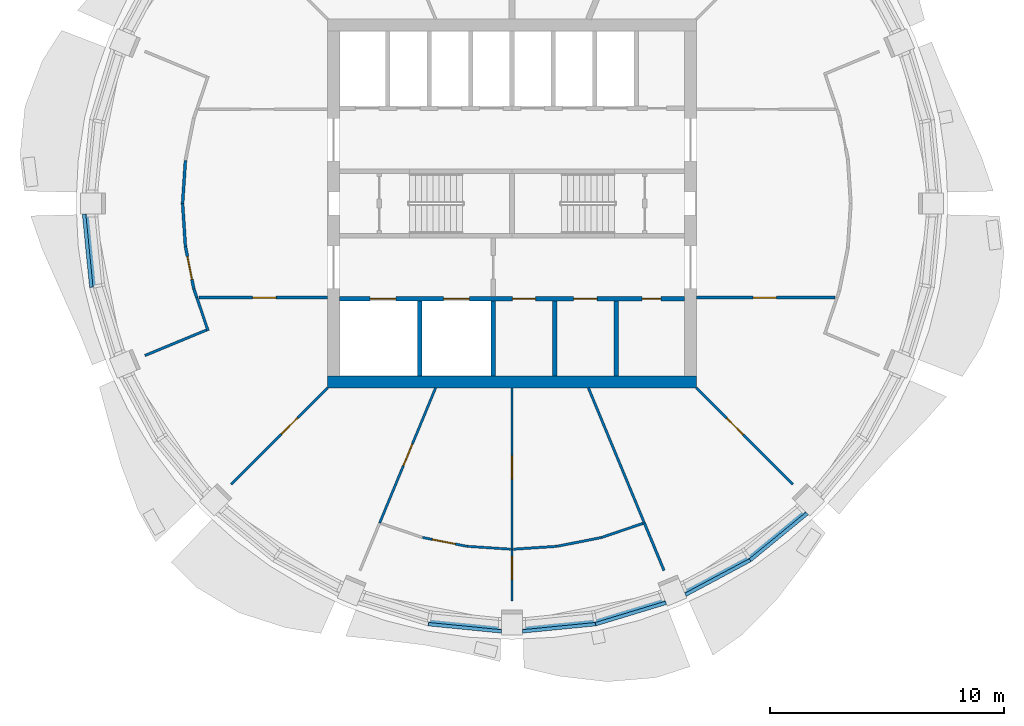
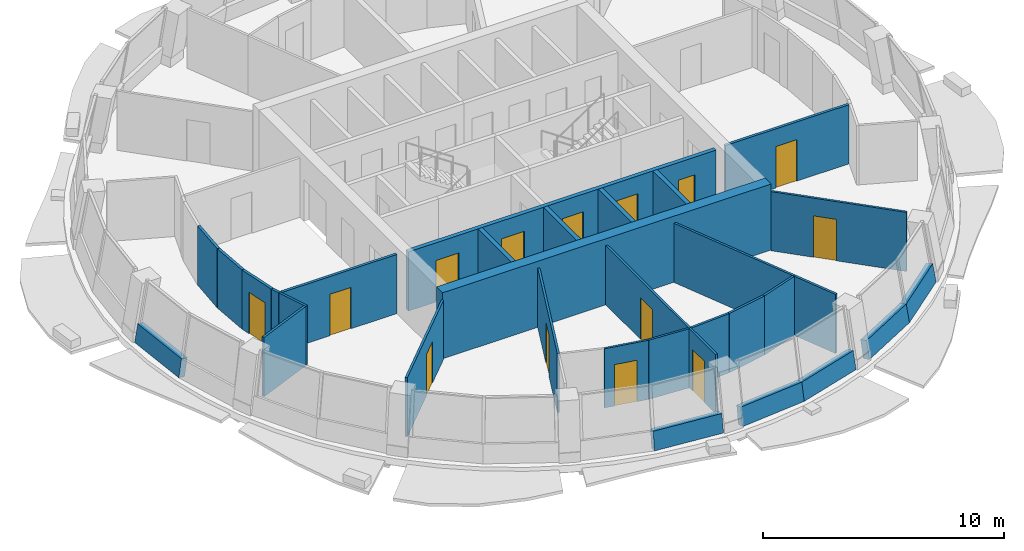
# One storey, part 4 of 11: 32 walls, 14 doors, 14 openings.
"""IFC4 building model written with IfcOpenShell, lengths in metres."""

from ifc_helpers import new_model, si_unit, direction, frame, frame_2d, origin, place, context, subcontext, project, spatial, polyline, rectangle, outline, extrude, material, layer, layer_set, type_object, element, fill, save


model = new_model("IFC4")

# Units and contexts
model_context = context("Model", 3, precision=1e-05, world=origin(), true_north=direction((0.0, 1.0)))
body_context = subcontext(model_context, "Body", "Model", "MODEL_VIEW")
ifc_project = project(units=[si_unit("LENGTHUNIT", "METRE"), si_unit("AREAUNIT", "SQUARE_METRE"), si_unit("VOLUMEUNIT", "CUBIC_METRE"), si_unit("PLANEANGLEUNIT", "RADIAN"), si_unit("MASSUNIT", "GRAM", prefix="KILO")], contexts=[model_context])

# Site, building, storey
site_placement = place(None, origin())
site = spatial("IfcSite", under=ifc_project, at=site_placement, CompositionType="ELEMENT")
building_placement = place(site_placement, origin())
building = spatial("IfcBuilding", under=site, at=building_placement, Name="Polderwave Tower", CompositionType="ELEMENT")
storey_placement = place(building_placement, frame((0.0, 0.0, 184.300048828125)))
storey = spatial("IfcBuildingStorey", under=building, at=storey_placement, Name="L49", CompositionType="ELEMENT", Elevation=184.300048828125)

# Walls
ifc_material_1 = material(Name="Concrete C60/75", Category="concrete")
ifc_layer_1 = layer(ifc_material_1, 0.5)
ifc_layer_set_1 = layer_set([ifc_layer_1], Name="CORE WALL 500 C60/75")
wall_type_1 = type_object("IfcWallType", Name="CORE WALL 500 C60/75", PredefinedType="SHEAR", material=ifc_layer_set_1)
wall_1_placement = place(storey_placement, frame((-7.8740234375, -7.6240234375, 0.0), z_axis=(0.0, 0.0, 1.0), x_axis=(1.0, 0.0, 0.0)))
element("IfcWall", 1, at=wall_1_placement, inside=storey, type_object=wall_type_1, Name="ST-CORE-L49-S", PredefinedType="SHEAR", context=body_context, shape_type="SweptSolid", body=[
    extrude(rectangle(XDim=15.748046875, YDim=0.5, at=frame_2d((7.8740234375, 0.0))), origin(), (0.0, 0.0, 1.0), 3.349853515625),
])
ifc_material_2 = material(Name="Concrete C50/60 (board-marked)", Category="concrete")
ifc_layer_2 = layer(ifc_material_2, 0.300048828125)
ifc_layer_set_2 = layer_set([ifc_layer_2], Name="Concrete spandrel upstand C50/60")
wall_type_2 = type_object("IfcWallType", Name="Concrete spandrel upstand C50/60", PredefinedType="SOLIDWALL", material=ifc_layer_set_2)
wall_2_placement = place(storey_placement, frame((-18.35302734375, -0.452392578125, 0.0), z_axis=(-0.981893053275, -0.096960979381, 0.162740899619), x_axis=(0.098271198901, -0.995159671342, 9.28862e-07)))
element("IfcWall", 2, at=wall_2_placement, inside=storey, type_object=wall_type_2, Name="Spandrel L49 9a", PredefinedType="SOLIDWALL", context=body_context, shape_type="SweptSolid", body=[
    extrude(outline(polyline([(0.0, 0.0), (3.152467755896297, 1.3877787807814457e-17), (3.1376847264442196, 0.9120582234912598), (0.014659942947303004, 0.9120641313131268), (0.0, 0.0)])), origin(), (0.0, 0.0, -1.0), 0.300048828125),
])
wall_3_placement = place(storey_placement, frame((-3.589599609375, -18.043212890625, 0.0), z_axis=(-0.097001095349, -0.981910573414, 0.162611233681), x_axis=(0.995155966643, -0.098308707783, 5.283619e-06)))
element("IfcWall", 3, at=wall_3_placement, inside=storey, type_object=wall_type_2, Name="Spandrel L49 12b", PredefinedType="SOLIDWALL", context=body_context, shape_type="SweptSolid", body=[
    extrude(outline(polyline([(0.0, 0.0), (3.152467754283533, 0.0), (3.1378318079144165, 0.9120246132585604), (0.014783026234113573, 0.9120582179690098), (0.0, 0.0)])), origin(), (0.0, 0.0, -1.0), 0.300048828125),
])
wall_4_placement = place(storey_placement, frame((0.452392578125, -18.35302734375, 0.0), z_axis=(0.096960979381, -0.981893053275, 0.162740899619), x_axis=(0.995159671342, 0.098271198901, 9.28862e-07)))
element("IfcWall", 4, at=wall_4_placement, inside=storey, type_object=wall_type_2, Name="Spandrel L49 13a", PredefinedType="SOLIDWALL", context=body_context, shape_type="SweptSolid", body=[
    extrude(outline(polyline([(0.0, 0.0), (3.152467755896297, 1.3877787807814457e-17), (3.1376847264442196, 0.9120582234912598), (0.014659942947303004, 0.9120641313131268), (0.0, 0.0)])), origin(), (0.0, 0.0, -1.0), 0.300048828125),
])
wall_5_placement = place(storey_placement, frame((3.589599609375, -18.043212890625, 0.0), z_axis=(0.286418531815, -0.944194299341, 0.162670064008), x_axis=(0.956940039415, 0.290285654048, 4.29464e-06)))
element("IfcWall", 5, at=wall_5_placement, inside=storey, type_object=wall_type_2, Name="Spandrel L49 13b", PredefinedType="SOLIDWALL", context=body_context, shape_type="SweptSolid", body=[
    extrude(outline(polyline([(0.0, 0.0), (3.151090520637664, 5.551115123125783e-17), (3.1366300493832275, 0.9120367272109542), (0.014419954122899748, 0.9120640324691018), (0.0, 0.0)])), origin(), (0.0, 0.0, -1.0), 0.300048828125),
])
wall_6_placement = place(storey_placement, frame((7.44140625, -16.782470703125, 0.0), z_axis=(0.465338838382, -0.870053087177, 0.162688017342), x_axis=(0.881801348468, 0.471621015005, -6.731272e-06)))
element("IfcWall", 6, at=wall_6_placement, inside=storey, type_object=wall_type_2, Name="Spandrel L49 14a", PredefinedType="SOLIDWALL", context=body_context, shape_type="SweptSolid", body=[
    extrude(outline(polyline([(0.0, 0.0), (3.151771311111445, 2.7755575615628914e-17), (3.1370609121058677, 0.9120745174751712), (0.014772882519417198, 0.9120317148366439), (0.0, 0.0)])), origin(), (0.0, 0.0, -1.0), 0.300048828125),
])
wall_7_placement = place(storey_placement, frame((10.220703125, -15.296142578125, 0.0), z_axis=(0.625791219471, -0.762829436571, 0.162716318582), x_axis=(0.773132385109, 0.634244680745, 6.479811e-06)))
element("IfcWall", 7, at=wall_7_placement, inside=storey, type_object=wall_type_2, Name="Spandrel L49 14b", PredefinedType="SOLIDWALL", context=body_context, shape_type="SweptSolid", body=[
    extrude(outline(polyline([(0.0, 0.0), (3.1512815606114035, 0.0), (3.1368278322630134, 0.9120368292562752), (0.014491008658826651, 0.9120780302099851), (0.0, 0.0)])), origin(), (0.0, 0.0, -1.0), 0.300048828125),
])
ifc_material_3 = material(Name="Gypsum board partition")
ifc_layer_3 = layer(ifc_material_3, 0.199951171875)
ifc_layer_set_3 = layer_set([ifc_layer_3], Name="Core room partition 200")
wall_type_3 = type_object("IfcWallType", Name="Core room partition 200", PredefinedType="PARTITIONING", material=ifc_layer_set_3)
for number, where, z_axis, x_axis, name in (
    (8, (1.823486328125, -7.3740234375, 0.0), (0.0, 0.0, 1.0), (0.0, 1.0, 0.0), "L49 room partition S1"),
    (9, (4.44677734375, -7.3740234375, 0.0), (0.0, 0.0, 1.0), (0.0, 1.0, 0.0), "L49 room partition S2"),
):
    element("IfcWall", number, at=place(storey_placement, frame(where, z_axis=z_axis, x_axis=x_axis)), inside=storey, type_object=wall_type_3, Name=name, PredefinedType="PARTITIONING", context=body_context, shape_type="SweptSolid", body=[
        extrude(rectangle(XDim=3.199951171875, YDim=0.199951171875, at=frame_2d((1.60009765625, 0.0))), origin(), (0.0, 0.0, 1.0), 3.0),
    ])

# Wall, openings, doors
ifc_material_4 = material(Name="Concrete C50/60", Category="concrete")
ifc_layer_4 = layer(ifc_material_4, 0.199951171875)
ifc_layer_set_4 = layer_set([ifc_layer_4], Name="Core web wall 200")
wall_type_4 = type_object("IfcWallType", Name="Core web wall 200", PredefinedType="SHEAR", material=ifc_layer_set_4)
wall_8_placement = place(storey_placement, frame((-7.3740234375, -4.073974609375, 0.0), z_axis=(0.0, 0.0, 1.0), x_axis=(1.0, 0.0, 0.0)))
wall_8 = element("IfcWall", 10, at=wall_8_placement, inside=storey, type_object=wall_type_4, Name="L49 south front wall", PredefinedType="SHEAR", context=body_context, shape_type="SweptSolid", body=[
    extrude(rectangle(XDim=14.748046875, YDim=0.199951171875, at=frame_2d((7.3740234375, 0.0))), origin(), (0.0, 0.0, 1.0), 3.0),
])
opening_1_placement = place(wall_8_placement, frame((1.318603515625, 0.0, 0.0)))
opening_1 = element("IfcOpeningElement", 11, at=opening_1_placement, cuts=wall_8, Name="Opening L49-D01", PredefinedType="OPENING", context=body_context, shape_type="SweptSolid", body=[
    extrude(rectangle(XDim=1.10009765625, YDim=2.10009765625, at=frame_2d((0.550048828125, 1.050048828125))), frame((0.0, 0.10986328125, 0.0), z_axis=(0.0, -1.0, 0.0), x_axis=(1.0, 0.0, 0.0)), (0.0, 0.0, 1.0), 0.219970703125),
])
opening_2_placement = place(wall_8_placement, frame((4.45556640625, 0.0, 0.0)))
opening_2 = element("IfcOpeningElement", 12, at=opening_2_placement, cuts=wall_8, Name="Opening L49-D02", PredefinedType="OPENING", context=body_context, shape_type="SweptSolid", body=[
    extrude(rectangle(XDim=1.10009765625, YDim=2.10009765625, at=frame_2d((0.550048828125, 1.050048828125))), frame((0.0, 0.10986328125, 0.0), z_axis=(0.0, -1.0, 0.0), x_axis=(1.0, 0.0, 0.0)), (0.0, 0.0, 1.0), 0.219970703125),
])
opening_3_placement = place(wall_8_placement, frame((7.3857421875, 0.0, 0.0)))
opening_3 = element("IfcOpeningElement", 13, at=opening_3_placement, cuts=wall_8, Name="Opening L49-D15", PredefinedType="OPENING", context=body_context, shape_type="SweptSolid", body=[
    extrude(rectangle(XDim=1.0, YDim=2.10009765625, at=frame_2d((0.5, 1.050048828125))), frame((0.0, 0.10986328125, 0.0), z_axis=(0.0, -1.0, 0.0), x_axis=(1.0, 0.0, 0.0)), (0.0, 0.0, 1.0), 0.219970703125),
])
opening_4_placement = place(wall_8_placement, frame((10.009033203125, 0.0, 0.0)))
opening_4 = element("IfcOpeningElement", 14, at=opening_4_placement, cuts=wall_8, Name="Opening L49-D16", PredefinedType="OPENING", context=body_context, shape_type="SweptSolid", body=[
    extrude(rectangle(XDim=1.0, YDim=2.10009765625, at=frame_2d((0.5, 1.050048828125))), frame((0.0, 0.10986328125, 0.0), z_axis=(0.0, -1.0, 0.0), x_axis=(1.0, 0.0, 0.0)), (0.0, 0.0, 1.0), 0.219970703125),
])
opening_5_placement = place(wall_8_placement, frame((12.934326171875, 0.0, 0.0)))
opening_5 = element("IfcOpeningElement", 15, at=opening_5_placement, cuts=wall_8, Name="Opening L49-D17", PredefinedType="OPENING", context=body_context, shape_type="SweptSolid", body=[
    extrude(rectangle(XDim=0.800048828125, YDim=2.10009765625, at=frame_2d((0.39990234375, 1.050048828125))), frame((0.0, 0.10986328125, 0.0), z_axis=(0.0, -1.0, 0.0), x_axis=(1.0, 0.0, 0.0)), (0.0, 0.0, 1.0), 0.219970703125),
])
ifc_material_5 = material(Name="Stainless steel", Category="steel")
door_type_1 = type_object("IfcDoorType", Name="Fire-fighting lift landing door 1100", OperationType="DOUBLE_DOOR_SLIDING", PredefinedType="DOOR", material=ifc_material_5)
door_1_placement = place(opening_1_placement, origin())
door_1 = element("IfcDoor", 16, at=door_1_placement, inside=storey, type_object=door_type_1, Name="Fire-fighting lift FF1 landing door", OperationType="DOUBLE_DOOR_SLIDING", OverallHeight=2.10009765625, OverallWidth=1.10009765625, PredefinedType="DOOR", context=body_context, shape_type="SweptSolid", body=[
    extrude(rectangle(XDim=1.10009765625, YDim=2.10009765625, at=frame_2d((0.550048828125, 1.050048828125))), frame((0.0, 0.02490234375, 0.0), z_axis=(0.0, -1.0, 0.0), x_axis=(1.0, 0.0, 0.0)), (0.0, 0.0, 1.0), 0.050048828125),
])
fill(opening_1, door_1)
door_2_placement = place(opening_2_placement, origin())
door_2 = element("IfcDoor", 17, at=door_2_placement, inside=storey, type_object=door_type_1, Name="Fire-fighting lift FF2 landing door", OperationType="DOUBLE_DOOR_SLIDING", OverallHeight=2.10009765625, OverallWidth=1.10009765625, PredefinedType="DOOR", context=body_context, shape_type="SweptSolid", body=[
    extrude(rectangle(XDim=1.10009765625, YDim=2.10009765625, at=frame_2d((0.550048828125, 1.050048828125))), frame((0.0, 0.02490234375, 0.0), z_axis=(0.0, -1.0, 0.0), x_axis=(1.0, 0.0, 0.0)), (0.0, 0.0, 1.0), 0.050048828125),
])
fill(opening_2, door_2)
ifc_material_6 = material(Name="Steel fire door", Category="steel")
door_type_2 = type_object("IfcDoorType", Name="Riser door 800", OperationType="NOTDEFINED", PredefinedType="DOOR", material=ifc_material_6)
door_3_placement = place(opening_5_placement, origin())
door_3 = element("IfcDoor", 18, at=door_3_placement, inside=storey, type_object=door_type_2, Name="Electrical room door", OperationType="SINGLE_SWING_RIGHT", OverallHeight=2.10009765625, OverallWidth=0.800048828125, PredefinedType="DOOR", context=body_context, shape_type="SweptSolid", body=[
    extrude(rectangle(XDim=0.800048828125, YDim=2.10009765625, at=frame_2d((0.39990234375, 1.050048828125))), frame((0.0, 0.02490234375, 0.0), z_axis=(0.0, -1.0, 0.0), x_axis=(1.0, 0.0, 0.0)), (0.0, 0.0, 1.0), 0.050048828125),
])
fill(opening_5, door_3)
ifc_material_7 = material(Name="Timber door leaf", Category="wood")
door_type_3 = type_object("IfcDoorType", Name="Room door 1000", OperationType="NOTDEFINED", PredefinedType="DOOR", material=ifc_material_7)
door_4_placement = place(opening_3_placement, frame((1.0, 0.0, 0.0), z_axis=(0.0, 0.0, 1.0), x_axis=(-1.0, 0.0, 0.0)))
door_4 = element("IfcDoor", 19, at=door_4_placement, inside=storey, type_object=door_type_3, Name="Housekeeping store door", OperationType="SINGLE_SWING_LEFT", OverallHeight=2.10009765625, OverallWidth=1.0, PredefinedType="DOOR", context=body_context, shape_type="SweptSolid", body=[
    extrude(rectangle(XDim=1.0, YDim=2.10009765625, at=frame_2d((0.5, 1.050048828125))), frame((0.0, 0.02490234375, 0.0), z_axis=(0.0, -1.0, 0.0), x_axis=(1.0, 0.0, 0.0)), (0.0, 0.0, 1.0), 0.050048828125),
])
fill(opening_3, door_4)
door_5_placement = place(opening_4_placement, frame((1.0, 0.0, 0.0), z_axis=(0.0, 0.0, 1.0), x_axis=(-1.0, 0.0, 0.0)))
door_5 = element("IfcDoor", 20, at=door_5_placement, inside=storey, type_object=door_type_3, Name="Pantry door", OperationType="SINGLE_SWING_LEFT", OverallHeight=2.10009765625, OverallWidth=1.0, PredefinedType="DOOR", context=body_context, shape_type="SweptSolid", body=[
    extrude(rectangle(XDim=1.0, YDim=2.10009765625, at=frame_2d((0.5, 1.050048828125))), frame((0.0, 0.02490234375, 0.0), z_axis=(0.0, -1.0, 0.0), x_axis=(1.0, 0.0, 0.0)), (0.0, 0.0, 1.0), 0.050048828125),
])
fill(opening_4, door_5)

# Wall, opening, door
ifc_material_8 = material(Name="Fire-resisting board on steel studs", Category="steel")
ifc_layer_5 = layer(ifc_material_8, 0.125)
ifc_layer_set_5 = layer_set([ifc_layer_5], Name="Corridor wall 125 mm EI 60")
wall_type_5 = type_object("IfcWallType", Name="Corridor wall 125 mm EI 60", PredefinedType="PARTITIONING", material=ifc_layer_set_5)
wall_9_placement = place(storey_placement, frame((13.794921875, -4.0244140625, 0.0), z_axis=(0.0, 0.0, 1.0), x_axis=(-1.0, 0.0, 0.0)))
wall_9 = element("IfcWall", 21, at=wall_9_placement, inside=storey, type_object=wall_type_5, Name="IN-L49-W008", PredefinedType="PARTITIONING", context=body_context, shape_type="SweptSolid", body=[
    extrude(rectangle(XDim=5.9208984375, YDim=0.125, at=frame_2d((2.96044921875, 0.0))), origin(), (0.0, 0.0, 1.0), 3.0),
])
opening_6_placement = place(wall_9_placement, frame((2.5, 0.0, 0.0)))
opening_6 = element("IfcOpeningElement", 22, at=opening_6_placement, cuts=wall_9, Name="Opening L49-D52", PredefinedType="OPENING", context=body_context, shape_type="SweptSolid", body=[
    extrude(rectangle(XDim=1.0, YDim=2.10009765625, at=frame_2d((0.5, 1.050048828125))), frame((0.0, 0.072509765625, 0.0), z_axis=(0.0, -1.0, 0.0), x_axis=(1.0, 0.0, 0.0)), (0.0, 0.0, 1.0), 0.14501953125),
])
ifc_material_9 = material(Name="Timber fire door leaf", Category="wood")
door_type_4 = type_object("IfcDoorType", Name="Fire door FD30S 1000 x 2100", OperationType="NOTDEFINED", PredefinedType="DOOR", material=ifc_material_9)
door_6_placement = place(opening_6_placement, origin())
door_6 = element("IfcDoor", 23, at=door_6_placement, inside=storey, type_object=door_type_4, Name="Door L49-D52", OperationType="SINGLE_SWING_RIGHT", OverallHeight=2.10009765625, OverallWidth=1.0, PredefinedType="DOOR", context=body_context, shape_type="SweptSolid", body=[
    extrude(rectangle(XDim=1.0, YDim=2.10009765625, at=frame_2d((0.5, 1.050048828125))), frame((0.0, 0.02490234375, 0.0), z_axis=(0.0, -1.0, 0.0), x_axis=(1.0, 0.0, 0.0)), (0.0, 0.0, 1.0), 0.050048828125),
])
fill(opening_6, door_6)

# Walls
for number, where, z_axis, x_axis, name in (
    (24, (-14.069580078125, 0.004150390625, 0.0), (0.0, 0.0, 1.0), (0.065289693198, 0.997866351754, 0.0), "IN-L49-W010"),
    (25, (-13.949951171875, -1.83251953125, 0.0), (0.0, 0.0, 1.0), (-0.065289693198, 0.997866351754, 0.0), "IN-L49-W011"),
):
    element("IfcWall", number, at=place(storey_placement, frame(where, z_axis=z_axis, x_axis=x_axis)), inside=storey, type_object=wall_type_5, Name=name, PredefinedType="PARTITIONING", context=body_context, shape_type="SweptSolid", body=[
        extrude(rectangle(XDim=1.832275390625, YDim=0.125, at=frame_2d((0.916015625, 0.0))), origin(), (0.0, 0.0, 1.0), 3.0),
    ])

# Wall, opening, door
wall_10_placement = place(storey_placement, frame((-13.59130859375, -3.6376953125, 0.0), z_axis=(0.0, 0.0, 1.0), x_axis=(-0.195065465094, 0.980790224425, 0.0)))
wall_10 = element("IfcWall", 26, at=wall_10_placement, inside=storey, type_object=wall_type_5, Name="IN-L49-W013", PredefinedType="PARTITIONING", context=body_context, shape_type="SweptSolid", body=[
    extrude(rectangle(XDim=1.832275390625, YDim=0.125, at=frame_2d((0.916015625, 0.0))), origin(), (0.0, 0.0, 1.0), 3.0),
])
opening_7_placement = place(wall_10_placement, frame((0.39990234375, 0.0, 0.0)))
opening_7 = element("IfcOpeningElement", 27, at=opening_7_placement, cuts=wall_10, Name="Opening L49-D54", PredefinedType="OPENING", context=body_context, shape_type="SweptSolid", body=[
    extrude(rectangle(XDim=1.0, YDim=2.10009765625, at=frame_2d((0.5, 1.050048828125))), frame((0.0, 0.072509765625, 0.0), z_axis=(0.0, -1.0, 0.0), x_axis=(1.0, 0.0, 0.0)), (0.0, 0.0, 1.0), 0.14501953125),
])
door_7_placement = place(opening_7_placement, origin())
door_7 = element("IfcDoor", 28, at=door_7_placement, inside=storey, type_object=door_type_4, Name="Door L49-D54", OperationType="SINGLE_SWING_LEFT", OverallHeight=2.10009765625, OverallWidth=1.0, PredefinedType="DOOR", context=body_context, shape_type="SweptSolid", body=[
    extrude(rectangle(XDim=1.0, YDim=2.10009765625, at=frame_2d((0.5, 1.050048828125))), frame((0.0, 0.02490234375, 0.0), z_axis=(0.0, -1.0, 0.0), x_axis=(1.0, 0.0, 0.0)), (0.0, 0.0, 1.0), 0.050048828125),
])
fill(opening_7, door_7)

# Wall
wall_11_placement = place(storey_placement, frame((-13.460693359375, -4.0244140625, 0.0), z_axis=(0.0, 0.0, 1.0), x_axis=(-0.321530820204, 0.94689911377, 0.0)))
element("IfcWall", 29, at=wall_11_placement, inside=storey, type_object=wall_type_5, Name="IN-L49-W015", PredefinedType="PARTITIONING", context=body_context, shape_type="SweptSolid", body=[
    extrude(rectangle(XDim=0.400146484375, YDim=0.125, at=frame_2d((0.2001953125, 0.0))), origin(), (0.0, 0.0, 1.0), 3.0),
])

# Wall, opening, door
wall_12_placement = place(storey_placement, frame((-7.8740234375, -4.0244140625, 0.0), z_axis=(0.0, 0.0, 1.0), x_axis=(-1.0, 0.0, 0.0)))
wall_12 = element("IfcWall", 30, at=wall_12_placement, inside=storey, type_object=wall_type_5, Name="IN-L49-W016", PredefinedType="PARTITIONING", context=body_context, shape_type="SweptSolid", body=[
    extrude(rectangle(XDim=5.499267578125, YDim=0.125, at=frame_2d((2.74951171875, 0.0))), origin(), (0.0, 0.0, 1.0), 3.0),
])
opening_8_placement = place(wall_12_placement, frame((2.199951171875, 0.0, 0.0)))
opening_8 = element("IfcOpeningElement", 31, at=opening_8_placement, cuts=wall_12, Name="Opening L49-D55", PredefinedType="OPENING", context=body_context, shape_type="SweptSolid", body=[
    extrude(rectangle(XDim=1.0, YDim=2.10009765625, at=frame_2d((0.5, 1.050048828125))), frame((0.0, 0.072509765625, 0.0), z_axis=(0.0, -1.0, 0.0), x_axis=(1.0, 0.0, 0.0)), (0.0, 0.0, 1.0), 0.14501953125),
])
door_8_placement = place(opening_8_placement, origin())
door_8 = element("IfcDoor", 32, at=door_8_placement, inside=storey, type_object=door_type_4, Name="Door L49-D55", OperationType="SINGLE_SWING_LEFT", OverallHeight=2.10009765625, OverallWidth=1.0, PredefinedType="DOOR", context=body_context, shape_type="SweptSolid", body=[
    extrude(rectangle(XDim=1.0, YDim=2.10009765625, at=frame_2d((0.5, 1.050048828125))), frame((0.0, 0.02490234375, 0.0), z_axis=(0.0, -1.0, 0.0), x_axis=(1.0, 0.0, 0.0)), (0.0, 0.0, 1.0), 0.050048828125),
])
fill(opening_8, door_8)

ifc_material_10 = material(Name="Plasterboard on steel studs", Category="steel")
ifc_layer_6 = layer(ifc_material_10, 0.10009765625)
ifc_layer_set_6 = layer_set([ifc_layer_6], Name="Partition 100 mm plasterboard on steel studs")
wall_type_6 = type_object("IfcWallType", Name="Partition 100 mm plasterboard on steel studs", PredefinedType="PARTITIONING", material=ifc_layer_set_6)
wall_13_placement = place(storey_placement, frame((-7.8740234375, -7.8740234375, 0.0), z_axis=(0.0, 0.0, 1.0), x_axis=(-0.707106781187, -0.707106781187, 0.0)))
wall_13 = element("IfcWall", 33, at=wall_13_placement, inside=storey, type_object=wall_type_6, Name="IN-L49-W039", PredefinedType="PARTITIONING", context=body_context, shape_type="SweptSolid", body=[
    extrude(rectangle(XDim=5.834228515625, YDim=0.10009765625, at=frame_2d((2.9169921875, 0.0))), origin(), (0.0, 0.0, 1.0), 3.0),
])
opening_9_placement = place(wall_13_placement, frame((1.800048828125, 0.0, 0.0)))
opening_9 = element("IfcOpeningElement", 34, at=opening_9_placement, cuts=wall_13, Name="Opening L49-D62", PredefinedType="OPENING", context=body_context, shape_type="SweptSolid", body=[
    extrude(rectangle(XDim=1.0, YDim=2.10009765625, at=frame_2d((0.5, 1.050048828125))), frame((0.0, 0.06005859375, 0.0), z_axis=(0.0, -1.0, 0.0), x_axis=(1.0, 0.0, 0.0)), (0.0, 0.0, 1.0), 0.1201171875),
])
ifc_material_11 = material(Name="Timber veneer door leaf", Category="wood")
door_type_5 = type_object("IfcDoorType", Name="Single door 1000 x 2100", OperationType="NOTDEFINED", PredefinedType="DOOR", material=ifc_material_11)
door_9_placement = place(opening_9_placement, origin())
door_9 = element("IfcDoor", 35, at=door_9_placement, inside=storey, type_object=door_type_5, Name="Door L49-D62", OperationType="SINGLE_SWING_LEFT", OverallHeight=2.10009765625, OverallWidth=1.0, PredefinedType="DOOR", context=body_context, shape_type="SweptSolid", body=[
    extrude(rectangle(XDim=1.0, YDim=2.10009765625, at=frame_2d((0.5, 1.050048828125))), frame((0.0, 0.02490234375, 0.0), z_axis=(0.0, -1.0, 0.0), x_axis=(1.0, 0.0, 0.0)), (0.0, 0.0, 1.0), 0.050048828125),
])
fill(opening_9, door_9)

wall_14_placement = place(storey_placement, frame((-3.261474609375, -7.8740234375, 0.0), z_axis=(0.0, 0.0, 1.0), x_axis=(-0.382669328176, -0.923885374532, 0.0)))
wall_14 = element("IfcWall", 36, at=wall_14_placement, inside=storey, type_object=wall_type_6, Name="IN-L49-W040", PredefinedType="PARTITIONING", context=body_context, shape_type="SweptSolid", body=[
    extrude(rectangle(XDim=6.247314453125, YDim=0.10009765625, at=frame_2d((3.12353515625, 0.0))), origin(), (0.0, 0.0, 1.0), 3.0),
])
opening_10_placement = place(wall_14_placement, frame((2.60009765625, 0.0, 0.0)))
opening_10 = element("IfcOpeningElement", 37, at=opening_10_placement, cuts=wall_14, Name="Opening L49-D63", PredefinedType="OPENING", context=body_context, shape_type="SweptSolid", body=[
    extrude(rectangle(XDim=1.0, YDim=2.10009765625, at=frame_2d((0.5, 1.050048828125))), frame((0.0, 0.06005859375, 0.0), z_axis=(0.0, -1.0, 0.0), x_axis=(1.0, 0.0, 0.0)), (0.0, 0.0, 1.0), 0.1201171875),
])
door_10_placement = place(opening_10_placement, origin())
door_10 = element("IfcDoor", 38, at=door_10_placement, inside=storey, type_object=door_type_5, Name="Door L49-D63", OperationType="SINGLE_SWING_LEFT", OverallHeight=2.10009765625, OverallWidth=1.0, PredefinedType="DOOR", context=body_context, shape_type="SweptSolid", body=[
    extrude(rectangle(XDim=1.0, YDim=2.10009765625, at=frame_2d((0.5, 1.050048828125))), frame((0.0, 0.02490234375, 0.0), z_axis=(0.0, -1.0, 0.0), x_axis=(1.0, 0.0, 0.0)), (0.0, 0.0, 1.0), 0.050048828125),
])
fill(opening_10, door_10)

wall_15_placement = place(storey_placement, frame((-1.93115234375, -14.64306640625, 0.0), z_axis=(0.0, 0.0, 1.0), x_axis=(-0.980775263006, 0.195140676117, 0.0)))
wall_15 = element("IfcWall", 39, at=wall_15_placement, inside=storey, type_object=wall_type_6, Name="IN-L49-W043", PredefinedType="PARTITIONING", context=body_context, shape_type="SweptSolid", body=[
    extrude(rectangle(XDim=1.925537109375, YDim=0.10009765625, at=frame_2d((0.962890625, 0.0))), origin(), (0.0, 0.0, 1.0), 3.0),
])
opening_11_placement = place(wall_15_placement, frame((0.5, 0.0, 0.0)))
opening_11 = element("IfcOpeningElement", 40, at=opening_11_placement, cuts=wall_15, Name="Opening L49-D64", PredefinedType="OPENING", context=body_context, shape_type="SweptSolid", body=[
    extrude(rectangle(XDim=1.0, YDim=2.10009765625, at=frame_2d((0.5, 1.050048828125))), frame((0.0, 0.06005859375, 0.0), z_axis=(0.0, -1.0, 0.0), x_axis=(1.0, 0.0, 0.0)), (0.0, 0.0, 1.0), 0.1201171875),
])
door_11_placement = place(opening_11_placement, origin())
door_11 = element("IfcDoor", 41, at=door_11_placement, inside=storey, type_object=door_type_5, Name="Door L49-D64", OperationType="SINGLE_SWING_RIGHT", OverallHeight=2.10009765625, OverallWidth=1.0, PredefinedType="DOOR", context=body_context, shape_type="SweptSolid", body=[
    extrude(rectangle(XDim=1.0, YDim=2.10009765625, at=frame_2d((0.5, 1.050048828125))), frame((0.0, 0.02490234375, 0.0), z_axis=(0.0, -1.0, 0.0), x_axis=(1.0, 0.0, 0.0)), (0.0, 0.0, 1.0), 0.050048828125),
])
fill(opening_11, door_11)

# Wall
wall_16_placement = place(storey_placement, frame((-0.055908203125, -14.766357421875, 0.0), z_axis=(0.0, 0.0, 1.0), x_axis=(-0.997856111695, 0.065446010984, 0.0)))
element("IfcWall", 42, at=wall_16_placement, inside=storey, type_object=wall_type_6, Name="IN-L49-W044", PredefinedType="PARTITIONING", context=body_context, shape_type="SweptSolid", body=[
    extrude(rectangle(XDim=1.87255859375, YDim=0.10009765625, at=frame_2d((0.936279296875, 0.0))), origin(), (0.0, 0.0, 1.0), 3.0),
])

# Wall, opening, door
wall_17_placement = place(storey_placement, frame((0.0, -14.77001953125, 0.0), z_axis=(0.0, 0.0, 1.0), x_axis=(0.0, -1.0, 0.0)))
wall_17 = element("IfcWall", 43, at=wall_17_placement, inside=storey, type_object=wall_type_6, Name="IN-L49-W046", PredefinedType="PARTITIONING", context=body_context, shape_type="SweptSolid", body=[
    extrude(rectangle(XDim=2.199951171875, YDim=0.10009765625, at=frame_2d((1.10009765625, 0.0))), origin(), (0.0, 0.0, 1.0), 3.0),
])
opening_12_placement = place(wall_17_placement, frame((0.300048828125, 0.0, 0.0)))
opening_12 = element("IfcOpeningElement", 44, at=opening_12_placement, cuts=wall_17, Name="Opening L49-D66", PredefinedType="OPENING", context=body_context, shape_type="SweptSolid", body=[
    extrude(rectangle(XDim=1.0, YDim=2.10009765625, at=frame_2d((0.5, 1.050048828125))), frame((0.0, 0.06005859375, 0.0), z_axis=(0.0, -1.0, 0.0), x_axis=(1.0, 0.0, 0.0)), (0.0, 0.0, 1.0), 0.1201171875),
])
door_12_placement = place(opening_12_placement, origin())
door_12 = element("IfcDoor", 45, at=door_12_placement, inside=storey, type_object=door_type_5, Name="Door L49-D66", OperationType="SINGLE_SWING_LEFT", OverallHeight=2.10009765625, OverallWidth=1.0, PredefinedType="DOOR", context=body_context, shape_type="SweptSolid", body=[
    extrude(rectangle(XDim=1.0, YDim=2.10009765625, at=frame_2d((0.5, 1.050048828125))), frame((0.0, 0.02490234375, 0.0), z_axis=(0.0, -1.0, 0.0), x_axis=(1.0, 0.0, 0.0)), (0.0, 0.0, 1.0), 0.050048828125),
])
fill(opening_12, door_12)

wall_18_placement = place(storey_placement, frame((11.99951171875, -11.99951171875, 0.0), z_axis=(0.0, 0.0, 1.0), x_axis=(-0.707106781187, 0.707106781187, 0.0)))
wall_18 = element("IfcWall", 46, at=wall_18_placement, inside=storey, type_object=wall_type_6, Name="IN-L49-W052", PredefinedType="PARTITIONING", context=body_context, shape_type="SweptSolid", body=[
    extrude(rectangle(XDim=5.834228515625, YDim=0.10009765625, at=frame_2d((2.9169921875, 0.0))), origin(), (0.0, 0.0, 1.0), 3.0),
])
opening_13_placement = place(wall_18_placement, frame((3.0, 0.0, 0.0)))
opening_13 = element("IfcOpeningElement", 47, at=opening_13_placement, cuts=wall_18, Name="Opening L49-D67", PredefinedType="OPENING", context=body_context, shape_type="SweptSolid", body=[
    extrude(rectangle(XDim=1.0, YDim=2.10009765625, at=frame_2d((0.5, 1.050048828125))), frame((0.0, 0.06005859375, 0.0), z_axis=(0.0, -1.0, 0.0), x_axis=(1.0, 0.0, 0.0)), (0.0, 0.0, 1.0), 0.1201171875),
])
door_13_placement = place(opening_13_placement, origin())
door_13 = element("IfcDoor", 48, at=door_13_placement, inside=storey, type_object=door_type_5, Name="Door L49-D67", OperationType="SINGLE_SWING_RIGHT", OverallHeight=2.10009765625, OverallWidth=1.0, PredefinedType="DOOR", context=body_context, shape_type="SweptSolid", body=[
    extrude(rectangle(XDim=1.0, YDim=2.10009765625, at=frame_2d((0.5, 1.050048828125))), frame((0.0, 0.02490234375, 0.0), z_axis=(0.0, -1.0, 0.0), x_axis=(1.0, 0.0, 0.0)), (0.0, 0.0, 1.0), 0.050048828125),
])
fill(opening_13, door_13)

ifc_material_12 = material(Name="Moisture-resistant board on steel studs, tiled", Category="steel")
ifc_layer_7 = layer(ifc_material_12, 0.10498046875)
ifc_layer_set_7 = layer_set([ifc_layer_7], Name="Partition 105 mm wet room board and tile")
wall_type_7 = type_object("IfcWallType", Name="Partition 105 mm wet room board and tile", PredefinedType="PARTITIONING", material=ifc_layer_set_7)
wall_19_placement = place(storey_placement, frame((0.0, -7.8740234375, 0.0), z_axis=(0.0, 0.0, 1.0), x_axis=(0.0, -1.0, 0.0)))
wall_19 = element("IfcWall", 49, at=wall_19_placement, inside=storey, type_object=wall_type_7, Name="IN-L49-W045", PredefinedType="PARTITIONING", context=body_context, shape_type="SweptSolid", body=[
    extrude(rectangle(XDim=6.89599609375, YDim=0.10498046875, at=frame_2d((3.447998046875, 0.0))), origin(), (0.0, 0.0, 1.0), 3.0),
])
opening_14_placement = place(wall_19_placement, frame((2.89990234375, 0.0, 0.0)))
opening_14 = element("IfcOpeningElement", 50, at=opening_14_placement, cuts=wall_19, Name="Opening L49-D65", PredefinedType="OPENING", context=body_context, shape_type="SweptSolid", body=[
    extrude(rectangle(XDim=1.0, YDim=2.10009765625, at=frame_2d((0.5, 1.050048828125))), frame((0.0, 0.0625, 0.0), z_axis=(0.0, -1.0, 0.0), x_axis=(1.0, 0.0, 0.0)), (0.0, 0.0, 1.0), 0.125),
])
door_14_placement = place(opening_14_placement, origin())
door_14 = element("IfcDoor", 51, at=door_14_placement, inside=storey, type_object=door_type_5, Name="Door L49-D65", OperationType="SINGLE_SWING_LEFT", OverallHeight=2.10009765625, OverallWidth=1.0, PredefinedType="DOOR", context=body_context, shape_type="SweptSolid", body=[
    extrude(rectangle(XDim=1.0, YDim=2.10009765625, at=frame_2d((0.5, 1.050048828125))), frame((0.0, 0.02490234375, 0.0), z_axis=(0.0, -1.0, 0.0), x_axis=(1.0, 0.0, 0.0)), (0.0, 0.0, 1.0), 0.050048828125),
])
fill(opening_14, door_14)

# Walls
wall_20_placement = place(storey_placement, frame((1.924560546875, -14.643798828125, 0.0), z_axis=(0.0, 0.0, 1.0), x_axis=(-0.997856111695, -0.065446010984, 0.0)))
element("IfcWall", 52, at=wall_20_placement, inside=storey, type_object=wall_type_7, Name="IN-L49-W047", PredefinedType="PARTITIONING", context=body_context, shape_type="SweptSolid", body=[
    extrude(rectangle(XDim=1.87255859375, YDim=0.10498046875, at=frame_2d((0.936279296875, 0.0))), origin(), (0.0, 0.0, 1.0), 3.0),
])
wall_21_placement = place(storey_placement, frame((3.8193359375, -14.267333984375, 0.0), z_axis=(0.0, 0.0, 1.0), x_axis=(-0.980789874999, -0.195067222003, 0.0)))
element("IfcWall", 53, at=wall_21_placement, inside=storey, type_object=wall_type_7, Name="IN-L49-W048", PredefinedType="PARTITIONING", context=body_context, shape_type="SweptSolid", body=[
    extrude(rectangle(XDim=1.9248046875, YDim=0.10498046875, at=frame_2d((0.96240234375, 0.0))), origin(), (0.0, 0.0, 1.0), 3.0),
])
wall_22_placement = place(storey_placement, frame((5.5966796875, -13.66455078125, 0.0), z_axis=(0.0, 0.0, 1.0), x_axis=(-0.946919091427, -0.32147198057, 0.0)))
element("IfcWall", 54, at=wall_22_placement, inside=storey, type_object=wall_type_7, Name="IN-L49-W049", PredefinedType="PARTITIONING", context=body_context, shape_type="SweptSolid", body=[
    extrude(rectangle(XDim=1.869873046875, YDim=0.10498046875, at=frame_2d((0.93505859375, 0.0))), origin(), (0.0, 0.0, 1.0), 3.0),
])
wall_23_placement = place(storey_placement, frame((3.261474609375, -7.8740234375, 0.0), z_axis=(0.0, 0.0, 1.0), x_axis=(0.382669328176, -0.923885374532, 0.0)))
element("IfcWall", 55, at=wall_23_placement, inside=storey, type_object=wall_type_7, Name="IN-L49-W050", PredefinedType="PARTITIONING", context=body_context, shape_type="SweptSolid", body=[
    extrude(rectangle(XDim=6.247314453125, YDim=0.10498046875, at=frame_2d((3.12353515625, 0.0))), origin(), (0.0, 0.0, 1.0), 3.0),
])
ifc_material_13 = material(Name="Acoustic double plasterboard on steel studs", Category="steel")
ifc_layer_8 = layer(ifc_material_13, 0.110107421875)
ifc_layer_set_8 = layer_set([ifc_layer_8], Name="Partition 110 mm acoustic double board")
wall_type_8 = type_object("IfcWallType", Name="Partition 110 mm acoustic double board", PredefinedType="PARTITIONING", material=ifc_layer_set_8)
wall_24_placement = place(storey_placement, frame((-13.460693359375, -4.0244140625, 0.0), z_axis=(0.0, 0.0, 1.0), x_axis=(0.321527037068, -0.946900398371, 0.0)))
element("IfcWall", 56, at=wall_24_placement, inside=storey, type_object=wall_type_8, Name="IN-L49-W037", PredefinedType="PARTITIONING", context=body_context, shape_type="SweptSolid", body=[
    extrude(rectangle(XDim=1.4912109375, YDim=0.110107421875, at=frame_2d((0.74560546875, 0.0))), origin(), (0.0, 0.0, 1.0), 3.0),
])
wall_25_placement = place(storey_placement, frame((-13.05322265625, -5.406982421875, 0.0), z_axis=(0.0, 0.0, 1.0), x_axis=(-0.923898495358, -0.382637648794, 0.0)))
element("IfcWall", 57, at=wall_25_placement, inside=storey, type_object=wall_type_8, Name="IN-L49-W038", PredefinedType="PARTITIONING", context=body_context, shape_type="SweptSolid", body=[
    extrude(rectangle(XDim=2.84130859375, YDim=0.110107421875, at=frame_2d((1.420654296875, 0.0))), origin(), (0.0, 0.0, 1.0), 3.0),
])
wall_26_placement = place(storey_placement, frame((5.652099609375, -13.645751953125, 0.0), z_axis=(0.0, 0.0, 1.0), x_axis=(0.382747093259, -0.923853160736, 0.0)))
element("IfcWall", 58, at=wall_26_placement, inside=storey, type_object=wall_type_8, Name="IN-L49-W051", PredefinedType="PARTITIONING", context=body_context, shape_type="SweptSolid", body=[
    extrude(rectangle(XDim=2.199951171875, YDim=0.110107421875, at=frame_2d((1.10009765625, 0.0))), origin(), (0.0, 0.0, 1.0), 3.0),
])
ifc_material_14 = material(Name="Gypsum shaft wall system")
ifc_layer_9 = layer(ifc_material_14, 0.199951171875)
ifc_layer_set_9 = layer_set([ifc_layer_9], Name="Shaft wall 200")
wall_type_9 = type_object("IfcWallType", Name="Shaft wall 200", PredefinedType="PARTITIONING", material=ifc_layer_set_9)
for number, where, z_axis, x_axis, name in (
    (59, (-3.93701171875, -7.3740234375, 0.0), (0.0, 0.0, 1.0), (0.0, 1.0, 0.0), "L49 fire-fighting shaft wall 1"),
    (60, (-0.800048828125, -7.3740234375, 0.0), (0.0, 0.0, 1.0), (0.0, 1.0, 0.0), "L49 fire-fighting shaft wall 2"),
):
    element("IfcWall", number, at=place(storey_placement, frame(where, z_axis=z_axis, x_axis=x_axis)), inside=storey, type_object=wall_type_9, Name=name, PredefinedType="PARTITIONING", context=body_context, shape_type="SweptSolid", body=[
        extrude(rectangle(XDim=3.199951171875, YDim=0.199951171875, at=frame_2d((1.60009765625, 0.0))), origin(), (0.0, 0.0, 1.0), 3.0),
    ])

save(model, "model.ifc")
